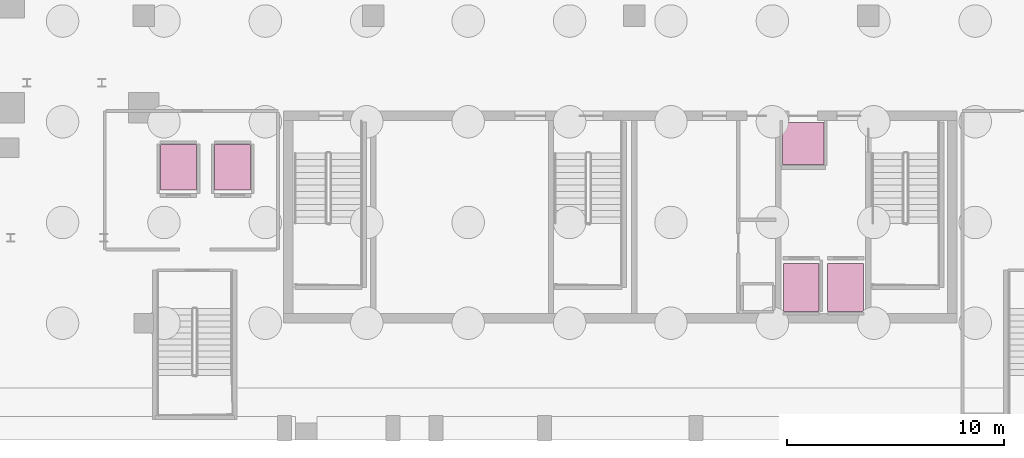
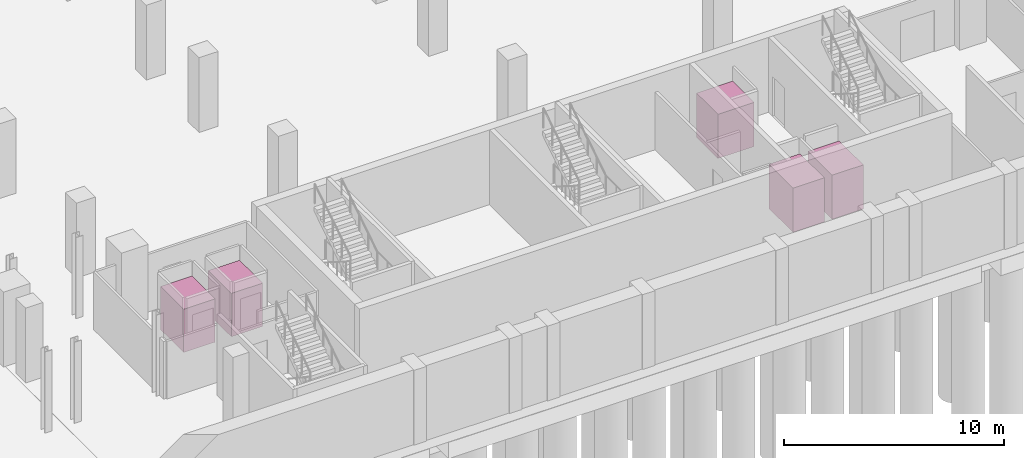
# One storey, part 18 of 18: 5 transport elements.
"""IFC4 building model written with IfcOpenShell, lengths in metres."""

import ifcopenshell
import ifcopenshell.guid

model = None  # the IFC model being written
_history = None  # IfcOwnerHistory: only IFC2X3 demands one
_inside = {}  # id of a spatial element -> (the spatial element, [elements in it])
_under = {}  # id of a project, library or spatial element -> (it, [spatial elements below it])
_declared = {}  # id of a project -> (the project, [libraries it declares])
_typed = {}  # id of a type object -> (the type object, [elements of that type])
_made_of = {}  # id of a material, layer set ... -> (it, [elements and type objects made of it])


def new_model(schema):
    """Start an empty IFC model of exactly this schema.

    Asked for "IFC4X3", IfcOpenShell would pick the latest addendum, in which some entities
    have other attributes; the version numbers below select the first issue.
    IFC2X3 requires an IfcOwnerHistory on every rooted entity: one is made here for all.
    """
    global model, _history
    if schema == "IFC4X3":
        model = ifcopenshell.file(schema_version=(4, 3, 0, 0))
    else:
        model = ifcopenshell.file(schema=schema)
    _inside.clear()
    _under.clear()
    _declared.clear()
    _typed.clear()
    _made_of.clear()
    _history = None
    if model.schema == "IFC2X3":
        org = make("IfcOrganization", Name="unknown")
        user = make(
            "IfcPersonAndOrganization",
            ThePerson=make("IfcPerson", FamilyName="unknown"),
            TheOrganization=org,
        )
        app = make(
            "IfcApplication",
            ApplicationDeveloper=org,
            Version="unknown",
            ApplicationFullName="unknown",
            ApplicationIdentifier="unknown",
        )
        _history = make(
            "IfcOwnerHistory",
            OwningUser=user,
            OwningApplication=app,
            ChangeAction="ADDED",
            CreationDate=0,
        )
    return model


def make(cls, **values):
    """One entity of the class cls with the attributes given. An attribute that is None is left unset."""
    return model.create_entity(
        cls, **{name: value for name, value in values.items() if value is not None}
    )


def rooted(cls, **values):
    """An entity with a GlobalId (a new one), such as an element, a storey or a relation."""
    return make(cls, GlobalId=ifcopenshell.guid.new(), OwnerHistory=_history, **values)


def si_unit(unit_type, name, prefix=None):
    """IfcSIUnit, for example si_unit("LENGTHUNIT", "METRE", prefix="MILLI")."""
    return make("IfcSIUnit", UnitType=unit_type, Prefix=prefix, Name=name)


def assignment(units):
    """IfcUnitAssignment: the units of a project."""
    return None if units is None else make("IfcUnitAssignment", Units=units)


def point(xyz):
    """IfcCartesianPoint."""
    return None if xyz is None else make("IfcCartesianPoint", Coordinates=xyz)


def direction(xyz):
    """IfcDirection."""
    return None if xyz is None else make("IfcDirection", DirectionRatios=xyz)


def frame(location, z_axis=None, x_axis=None):
    """IfcAxis2Placement3D, a coordinate frame: its origin and axes. An axis left out is left unset."""
    return make(
        "IfcAxis2Placement3D",
        Location=point(location),
        Axis=direction(z_axis),
        RefDirection=direction(x_axis),
    )


def frame_2d(location, x_axis=None):
    """IfcAxis2Placement2D, a coordinate frame in the plane: its origin and x axis."""
    return make(
        "IfcAxis2Placement2D", Location=point(location), RefDirection=direction(x_axis)
    )


def origin():
    """The frame at (0, 0, 0) with its axes left unset."""
    return frame((0.0, 0.0, 0.0))


def origin_2d():
    """The frame at (0, 0) in the plane with its x axis left unset."""
    return frame_2d((0.0, 0.0))


def place(relative_to, where):
    """IfcLocalPlacement: puts the frame where relative to a parent placement (None: the world)."""
    return make(
        "IfcLocalPlacement", PlacementRelTo=relative_to, RelativePlacement=where
    )


def context(
    kind, dimensions, precision=None, world=None, true_north=None, identifier=None
):
    """IfcGeometricRepresentationContext, for example the 3D "Model" context."""
    return make(
        "IfcGeometricRepresentationContext",
        ContextIdentifier=identifier,
        ContextType=kind,
        CoordinateSpaceDimension=dimensions,
        Precision=precision,
        WorldCoordinateSystem=world,
        TrueNorth=true_north,
    )


def subcontext(parent, identifier, kind, view, scale=None):
    """IfcGeometricRepresentationSubContext, for example "Body" below "Model"."""
    return make(
        "IfcGeometricRepresentationSubContext",
        ContextIdentifier=identifier,
        ContextType=kind,
        ParentContext=parent,
        TargetScale=scale,
        TargetView=view,
    )


def project(units=None, contexts=None):
    """IfcProject with its units and contexts."""
    return rooted(
        "IfcProject",
        Name="project",
        RepresentationContexts=contexts,
        UnitsInContext=assignment(units),
    )


def spatial(cls, under=None, at=None, **own):
    """A site, building, storey or space (cls), placed at a placement, below another one or the project."""
    s = rooted(cls, ObjectPlacement=at, **own)
    if under is not None:
        _under.setdefault(under.id(), (under, []))[1].append(s)
    return s


def profile(cls, at=None, kind="AREA", **sizes):
    """A parametric profile (cls). Its sizes go by their IFC names, for example OverallWidth=200.0."""
    return make(cls, ProfileType=kind, Position=at, **sizes)


def rectangle(**sizes):
    """IfcRectangleProfileDef."""
    return profile("IfcRectangleProfileDef", **sizes)


def extrude(swept, where, along, depth):
    """IfcExtrudedAreaSolid: the profile swept, set in the frame where, extruded along a direction by depth."""
    return make(
        "IfcExtrudedAreaSolid",
        SweptArea=swept,
        Position=where,
        ExtrudedDirection=direction(along),
        Depth=depth,
    )


def shape(context_of_items, identifier, shape_type, items):
    """IfcShapeRepresentation: the items that make up one representation, for example the "Body"."""
    return make(
        "IfcShapeRepresentation",
        ContextOfItems=context_of_items,
        RepresentationIdentifier=identifier,
        RepresentationType=shape_type,
        Items=items,
    )


def material(Name=None, Category=None):
    """IfcMaterial."""
    return make("IfcMaterial", Name=Name, Category=Category)


def made_of(thing, what):
    """Note that an element or type object is made of a material, layer set ...; save() writes the relation."""
    if what is not None:
        _made_of.setdefault(what.id(), (what, []))[1].append(thing)
    return thing


def type_object(cls, material=None, **own):
    """A type object (cls), such as IfcWallType, which elements share."""
    return made_of(rooted(cls, **own), material)


def element(
    cls,
    number,
    at=None,
    inside=None,
    cuts=None,
    type_object=None,
    material=None,
    context=None,
    identifier="Body",
    shape_type=None,
    held_by="IfcProductDefinitionShape",
    body=None,
    shapes=None,
    **own,
):
    """One element of the class cls, such as IfcWall. Its Tag is "e" and its number.

    at: its placement. inside: the storey or other place that contains it. cuts: it is an
    opening in that element (IfcRelVoidsElement). A single representation is given by context,
    identifier, shape_type and body (its items); several are given by shapes. held_by: the class
    of the entity that holds the representations. save() writes the other relations.
    """
    e = rooted(cls, Tag="e%d" % number, ObjectPlacement=at, **own)
    if body is not None:
        shapes = [shape(context, identifier, shape_type, body)]
    if shapes is not None:
        e.Representation = make(held_by, Representations=shapes)
    if inside is not None:
        _inside.setdefault(inside.id(), (inside, []))[1].append(e)
    if cuts is not None:
        rooted(
            "IfcRelVoidsElement", RelatingBuildingElement=cuts, RelatedOpeningElement=e
        )
    if type_object is not None:
        _typed.setdefault(type_object.id(), (type_object, []))[1].append(e)
    return made_of(e, material)


def aggregate(whole, parts):
    """IfcRelAggregates: a whole, such as a stair, and the parts it consists of."""
    return rooted("IfcRelAggregates", RelatingObject=whole, RelatedObjects=parts)


def save(model, path):
    """Write the relations noted so far, then the file.

    IfcRelAggregates (storeys below a building ...), IfcRelContainedInSpatialStructure (elements
    in a storey), IfcRelDefinesByType, IfcRelAssociatesMaterial and IfcRelDeclares: one each for
    every whole, place, type object, material and project.
    """
    for whole, parts in _under.values():
        aggregate(whole, parts)
    for where, things in _inside.values():
        rooted(
            "IfcRelContainedInSpatialStructure",
            RelatedElements=things,
            RelatingStructure=where,
        )
    for kind, things in _typed.values():
        rooted("IfcRelDefinesByType", RelatedObjects=things, RelatingType=kind)
    for what, things in _made_of.values():
        rooted("IfcRelAssociatesMaterial", RelatedObjects=things, RelatingMaterial=what)
    for by, libraries in _declared.values():
        rooted("IfcRelDeclares", RelatingContext=by, RelatedDefinitions=libraries)
    model.write(path)


model = new_model("IFC4")

# Units and contexts
model_context = context("Model", 3, precision=1e-05, world=origin(), true_north=direction((0.0, 1.0)))
body_context = subcontext(model_context, "Body", "Model", "MODEL_VIEW")
ifc_project = project(units=[si_unit("LENGTHUNIT", "METRE"), si_unit("AREAUNIT", "SQUARE_METRE"), si_unit("VOLUMEUNIT", "CUBIC_METRE"), si_unit("PLANEANGLEUNIT", "RADIAN"), si_unit("MASSUNIT", "GRAM", prefix="KILO")], contexts=[model_context])

# Site, building, storey
site_placement = place(None, origin())
site = spatial("IfcSite", under=ifc_project, at=site_placement, CompositionType="ELEMENT")
building_placement = place(site_placement, origin())
building = spatial("IfcBuilding", under=site, at=building_placement, Name="Ndaravel Arena Tower", CompositionType="ELEMENT")
storey_placement = place(building_placement, frame((0.0, 0.0, -9.0)))
storey = spatial("IfcBuildingStorey", under=building, at=storey_placement, Name="B02", CompositionType="ELEMENT", Elevation=-9.0)

# Transport elements
ifc_material_1 = material(Name="Steel S355", Category="steel")
transport_element_type_1 = type_object("IfcTransportElementType", Name="TRAN-ELEV-FFL", PredefinedType="ELEVATOR", material=ifc_material_1)
for number, where, z_axis, x_axis, name in (
    (1, (50.35009765625, 7.050048828125, 0.0), (0.0, 0.0, 1.0), (1.0, 0.0, 0.0), "Lift FFL-1 Car"),
    (2, (52.39990234375, 7.050048828125, 0.0), (0.0, 0.0, 1.0), (1.0, 0.0, 0.0), "Lift FFL-2 Car"),
):
    element("IfcTransportElement", number, at=place(storey_placement, frame(where, z_axis=z_axis, x_axis=x_axis)), inside=storey, type_object=transport_element_type_1, Name=name, PredefinedType="ELEVATOR", context=body_context, shape_type="SweptSolid", body=[
        extrude(rectangle(XDim=1.64990234375, YDim=2.199951171875, at=origin_2d()), origin(), (0.0, 0.0, 1.0), 2.449951171875),
    ])
ifc_material_2 = material(Name="Steel S355", Category="steel")
transport_element_type_2 = type_object("IfcTransportElementType", Name="TRAN-ELEV-PASS", PredefinedType="ELEVATOR", material=ifc_material_2)
for number, where, z_axis, x_axis, name in (
    (3, (21.60009765625, 12.60009765625, 0.0), (0.0, 0.0, 1.0), (1.0, 0.0, 0.0), "Lift PL-A1 Car"),
    (4, (24.10009765625, 12.60009765625, 0.0), (0.0, 0.0, 1.0), (1.0, 0.0, 0.0), "Lift PL-A2 Car"),
):
    element("IfcTransportElement", number, at=place(storey_placement, frame(where, z_axis=z_axis, x_axis=x_axis)), inside=storey, type_object=transport_element_type_2, Name=name, PredefinedType="ELEVATOR", context=body_context, shape_type="SweptSolid", body=[
        extrude(rectangle(XDim=1.64990234375, YDim=2.10009765625, at=origin_2d()), origin(), (0.0, 0.0, 1.0), 2.39990234375),
    ])
ifc_material_3 = material(Name="Steel S355", Category="steel")
transport_element_type_3 = type_object("IfcTransportElementType", Name="TRAN-ELEV-SRV", PredefinedType="ELEVATOR", material=ifc_material_3)
transport_element_placement = place(storey_placement, frame((50.449951171875, 13.699951171875, 0.0), z_axis=(0.0, 0.0, 1.0), x_axis=(1.0, 0.0, 0.0)))
element("IfcTransportElement", 5, at=transport_element_placement, inside=storey, type_object=transport_element_type_3, Name="Lift SVL-1 Car", PredefinedType="ELEVATOR", context=body_context, shape_type="SweptSolid", body=[
    extrude(rectangle(XDim=1.89990234375, YDim=1.949951171875, at=origin_2d()), origin(), (0.0, 0.0, 1.0), 2.449951171875),
])

save(model, "model.ifc")
